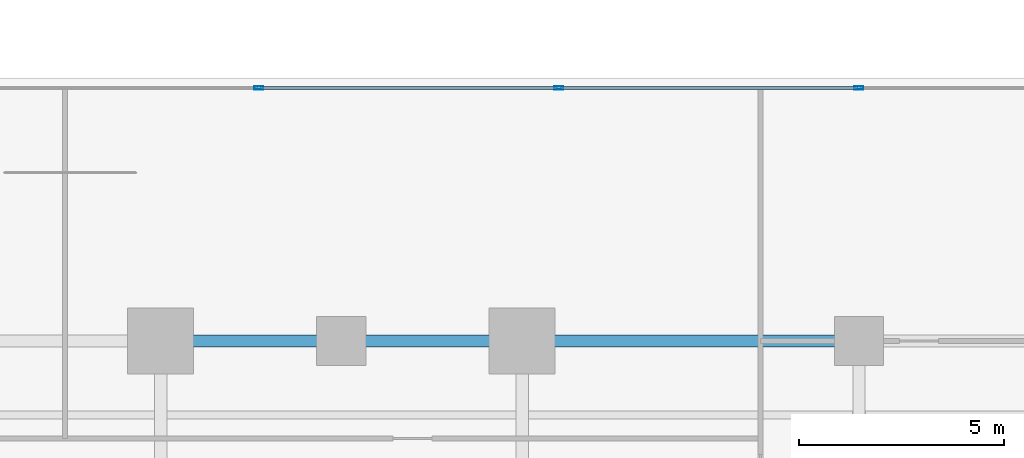
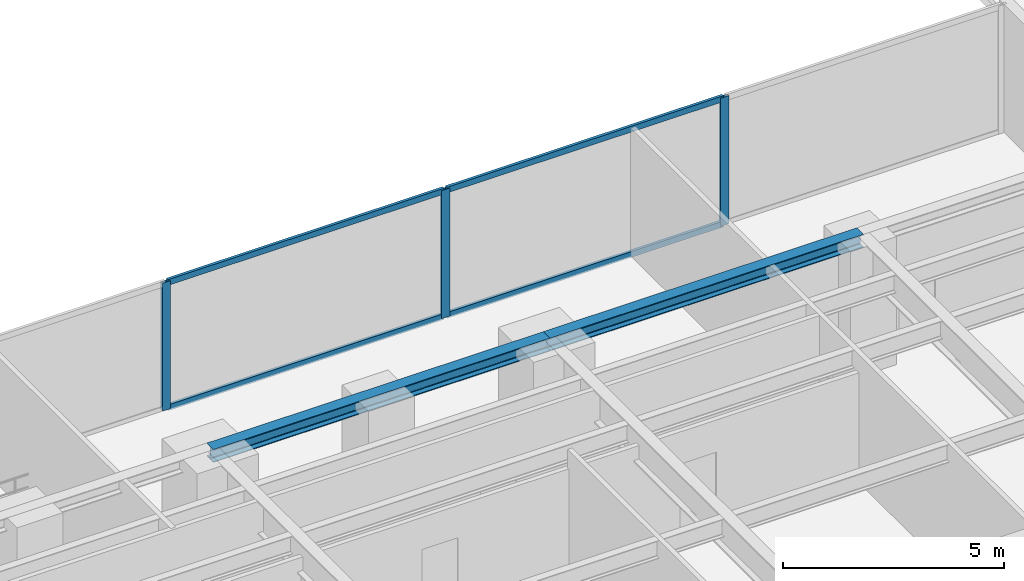
# One storey, part 13 of 29: 7 members, 2 beams, 1 element without a shape of its own.
"""IFC4 building model written with IfcOpenShell, lengths in metres."""

from ifc_helpers import new_model, si_unit, direction, frame, origin, origin_with_axes, origin_2d, place, context, subcontext, project, spatial, hollow_rectangle, i_section, extrude, source, transform, mapped, material, layer, layer_set, material_profile, profile_set, type_object, element, aggregate, save


model = new_model("IFC4")

# Units and contexts
model_context = context("Model", 3, precision=1e-05, world=origin(), true_north=direction((0.0, 1.0)))
body_context = subcontext(model_context, "Body", "Model", "MODEL_VIEW")
ifc_project = project(units=[si_unit("LENGTHUNIT", "METRE"), si_unit("AREAUNIT", "SQUARE_METRE"), si_unit("VOLUMEUNIT", "CUBIC_METRE"), si_unit("PLANEANGLEUNIT", "RADIAN"), si_unit("MASSUNIT", "GRAM", prefix="KILO")], contexts=[model_context])

# Site, building, storey
site_placement = place(None, origin())
site = spatial("IfcSite", under=ifc_project, at=site_placement, CompositionType="ELEMENT")
building_placement = place(site_placement, origin())
building = spatial("IfcBuilding", under=site, at=building_placement, Name="Kolvaren Waterfront Exchange", CompositionType="ELEMENT")
storey_placement = place(building_placement, frame((0.0, 0.0, 29.60009765625)))
storey = spatial("IfcBuildingStorey", under=building, at=storey_placement, Name="L07", CompositionType="ELEMENT", Elevation=29.60009765625)

# Beams
ifc_material_1 = material(Name="Steel S355", Category="steel")
ifc_material_profile_1 = material_profile(ifc_material_1, i_section(OverallWidth=0.300048828125, OverallDepth=0.360107421875, WebThickness=0.012451171875, FlangeThickness=0.0224609375, FilletRadius=0.027099609375, at=origin_2d()), Name="HEB360")
ifc_profile_set_1 = profile_set([ifc_material_profile_1], Name="Steel S355")
beam_type = type_object("IfcBeamType", Name="STR-BM-HEB360", PredefinedType="SPANDREL", material=ifc_profile_set_1)
beam_1_placement = place(storey_placement, frame((36.800048828125, 17.39990234375, 3.35986328125), z_axis=(1.0, 0.0, 0.0), x_axis=(0.0, 1.0, 0.0)))
element("IfcBeam", 1, at=beam_1_placement, inside=storey, type_object=beam_type, Name="L07 east-arm spandrel N3", PredefinedType="SPANDREL", context=body_context, shape_type="SweptSolid", body=[
    extrude(i_section(OverallWidth=0.300048828125, OverallDepth=0.360107421875, WebThickness=0.012451171875, FlangeThickness=0.0224609375, FilletRadius=0.027099609375, at=origin_2d()), origin(), (0.0, 0.0, 1.0), 8.800048828125),
])
beam_2_placement = place(storey_placement, frame((45.60009765625, 17.39990234375, 3.35986328125), z_axis=(1.0, 0.0, 0.0), x_axis=(0.0, 1.0, 0.0)))
element("IfcBeam", 2, at=beam_2_placement, inside=storey, type_object=beam_type, Name="L07 east-arm spandrel N4", PredefinedType="SPANDREL", context=body_context, shape_type="SweptSolid", body=[
    extrude(i_section(OverallWidth=0.300048828125, OverallDepth=0.360107421875, WebThickness=0.012451171875, FlangeThickness=0.0224609375, FilletRadius=0.027099609375, at=origin_2d()), origin(), (0.0, 0.0, 1.0), 8.199951171875),
])

# Curtain wall, members
ifc_material_2 = material(Name="Anodised bronze aluminium 6063-T6", Category="aluminium")
ifc_layer = layer(ifc_material_2, 0.219970703125, Name="Anodised bronze aluminium 6063-T6")
ifc_layer_set = layer_set([ifc_layer], Name="Anodised bronze aluminium 6063-T6")
curtain_wall_type = type_object("IfcCurtainWallType", Name="ARC-CW-SYS1", PredefinedType="USERDEFINED", material=ifc_layer_set)
curtain_wall_placement = place(storey_placement, origin())
curtain_wall = element("IfcCurtainWall", 3, at=curtain_wall_placement, inside=storey, type_object=curtain_wall_type, Name="L07 stick curtain wall CW1 (CW-L07-EN)", ObjectType="STICK CURTAIN WALL", PredefinedType="USERDEFINED")
ifc_material_3 = material(Name="Anodised aluminium 6063-T6", Category="aluminium")
ifc_material_profile_2 = material_profile(ifc_material_3, hollow_rectangle(XDim=0.080078125, YDim=0.219970703125, WallThickness=0.0048828125, at=origin_2d()), Name="ALU-MUL-220x80x5")
ifc_profile_set_2 = profile_set([ifc_material_profile_2], Name="Anodised aluminium 6063-T6")
member_type_1 = type_object("IfcMemberType", Name="ARC-CWM-220", PredefinedType="MULLION", material=ifc_profile_set_2)
shared_shape_1 = source(origin_with_axes(), body_context, "Body", "SweptSolid", [
    extrude(hollow_rectangle(XDim=0.080078125, YDim=0.219970703125, WallThickness=0.0048828125, at=origin_2d()), origin(), (0.0, 0.0, 1.0), 3.539794921875),
])
member_1_placement = place(storey_placement, frame((39.1923828125, 23.56005859375, 0.0), z_axis=(0.0, 0.0, 1.0), x_axis=(0.0, 1.0, 0.0)))
member_1 = element("IfcMember", 4, at=member_1_placement, type_object=member_type_1, Name="CW1 mullion 2", PredefinedType="MULLION", context=body_context, shape_type="MappedRepresentation", body=[
    mapped(shared_shape_1, transform((0.0, 0.0, 0.0), x_axis=(1.0, 0.0, 0.0), y_axis=(0.0, 1.0, 0.0), z_axis=(0.0, 0.0, 1.0), scale=1.0)),
])
member_2_placement = place(storey_placement, frame((46.4951171875, 23.56005859375, 0.0), z_axis=(0.0, 0.0, 1.0), x_axis=(0.0, 1.0, 0.0)))
member_2 = element("IfcMember", 5, at=member_2_placement, type_object=member_type_1, Name="CW1 mullion 3", PredefinedType="MULLION", context=body_context, shape_type="MappedRepresentation", body=[
    mapped(shared_shape_1, transform((0.0, 0.0, 0.0), x_axis=(1.0, 0.0, 0.0), y_axis=(0.0, 1.0, 0.0), z_axis=(0.0, 0.0, 1.0), scale=1.0)),
])
member_3_placement = place(storey_placement, frame((53.797607421875, 23.56005859375, 0.0), z_axis=(0.0, 0.0, 1.0), x_axis=(0.0, 1.0, 0.0)))
member_3 = element("IfcMember", 6, at=member_3_placement, type_object=member_type_1, Name="CW1 mullion 4", PredefinedType="MULLION", context=body_context, shape_type="MappedRepresentation", body=[
    mapped(shared_shape_1, transform((0.0, 0.0, 0.0), x_axis=(1.0, 0.0, 0.0), y_axis=(0.0, 1.0, 0.0), z_axis=(0.0, 0.0, 1.0), scale=1.0)),
])
ifc_material_profile_3 = material_profile(ifc_material_3, hollow_rectangle(XDim=0.074951171875, YDim=0.159912109375, WallThickness=0.00439453125, at=origin_2d()), Name="ALU-TRN-160x75x4.5")
ifc_profile_set_3 = profile_set([ifc_material_profile_3], Name="Anodised aluminium 6063-T6")
member_type_2 = type_object("IfcMemberType", Name="ARC-CWT-160", PredefinedType="USERDEFINED", material=ifc_profile_set_3)
shared_shape_2 = source(origin_with_axes(), body_context, "Body", "SweptSolid", [
    extrude(hollow_rectangle(XDim=0.074951171875, YDim=0.159912109375, WallThickness=0.00439453125, at=origin_2d()), origin(), (0.0, 0.0, 1.0), 7.22265625),
])
member_4_placement = place(storey_placement, frame((39.232421875, 23.56005859375, 0.037353515625), z_axis=(1.0, 0.0, 0.0), x_axis=(0.0, 1.0, 0.0)))
member_4 = element("IfcMember", 7, at=member_4_placement, type_object=member_type_2, Name="CW1 transom 2.1", ObjectType="TRANSOM", PredefinedType="USERDEFINED", context=body_context, shape_type="MappedRepresentation", body=[
    mapped(shared_shape_2, transform((0.0, 0.0, 0.0), x_axis=(1.0, 0.0, 0.0), y_axis=(0.0, 1.0, 0.0), z_axis=(0.0, 0.0, 1.0), scale=1.0)),
])
member_5_placement = place(storey_placement, frame((39.232421875, 23.56005859375, 3.50244140625), z_axis=(1.0, 0.0, 0.0), x_axis=(0.0, 1.0, 0.0)))
member_5 = element("IfcMember", 8, at=member_5_placement, type_object=member_type_2, Name="CW1 transom 2.2", ObjectType="TRANSOM", PredefinedType="USERDEFINED", context=body_context, shape_type="MappedRepresentation", body=[
    mapped(shared_shape_2, transform((0.0, 0.0, 0.0), x_axis=(1.0, 0.0, 0.0), y_axis=(0.0, 1.0, 0.0), z_axis=(0.0, 0.0, 1.0), scale=1.0)),
])
member_6_placement = place(storey_placement, frame((46.534912109375, 23.56005859375, 0.037353515625), z_axis=(1.0, 0.0, 0.0), x_axis=(0.0, 1.0, 0.0)))
member_6 = element("IfcMember", 9, at=member_6_placement, type_object=member_type_2, Name="CW1 transom 3.1", ObjectType="TRANSOM", PredefinedType="USERDEFINED", context=body_context, shape_type="MappedRepresentation", body=[
    mapped(shared_shape_2, transform((0.0, 0.0, 0.0), x_axis=(1.0, 0.0, 0.0), y_axis=(0.0, 1.0, 0.0), z_axis=(0.0, 0.0, 1.0), scale=1.0)),
])
member_7_placement = place(storey_placement, frame((46.534912109375, 23.56005859375, 3.50244140625), z_axis=(1.0, 0.0, 0.0), x_axis=(0.0, 1.0, 0.0)))
member_7 = element("IfcMember", 10, at=member_7_placement, type_object=member_type_2, Name="CW1 transom 3.2", ObjectType="TRANSOM", PredefinedType="USERDEFINED", context=body_context, shape_type="MappedRepresentation", body=[
    mapped(shared_shape_2, transform((0.0, 0.0, 0.0), x_axis=(1.0, 0.0, 0.0), y_axis=(0.0, 1.0, 0.0), z_axis=(0.0, 0.0, 1.0), scale=1.0)),
])
aggregate(curtain_wall, [member_1, member_2, member_3, member_4, member_5, member_6, member_7])

save(model, "model.ifc")
